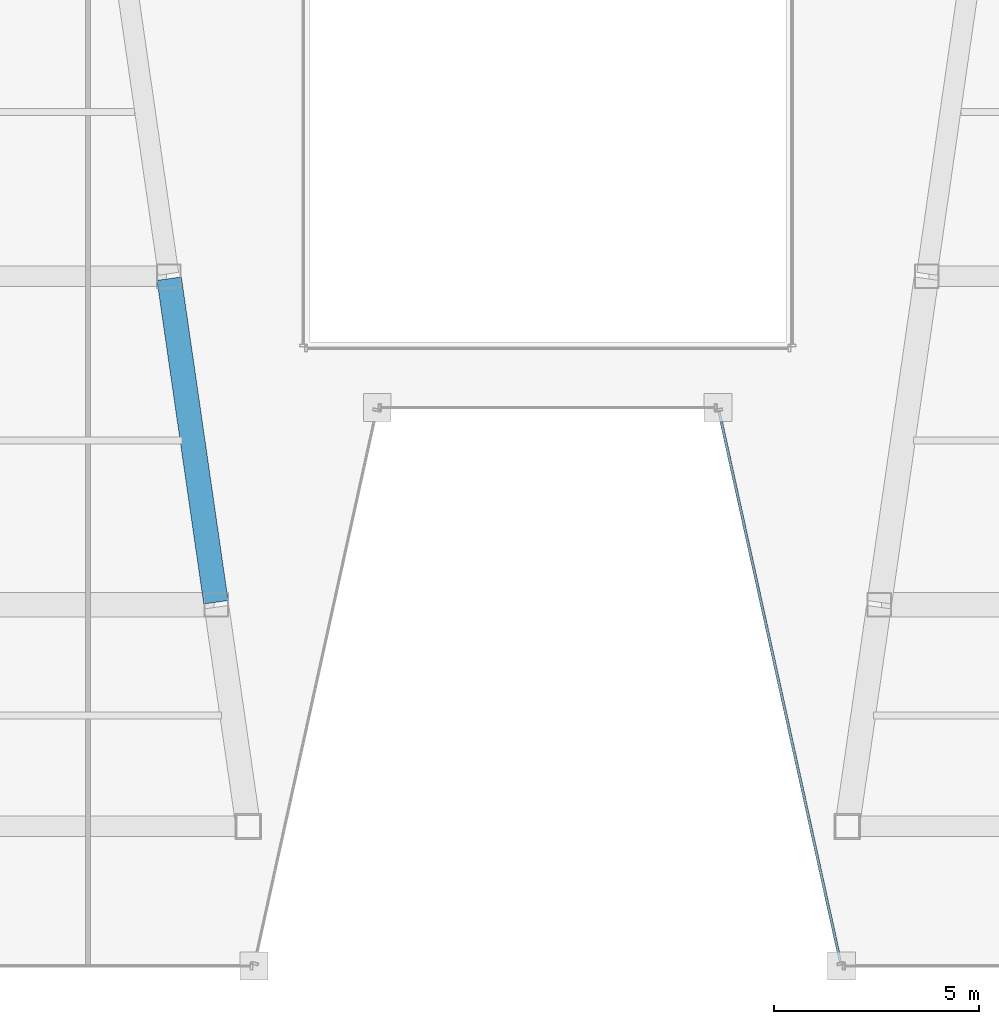
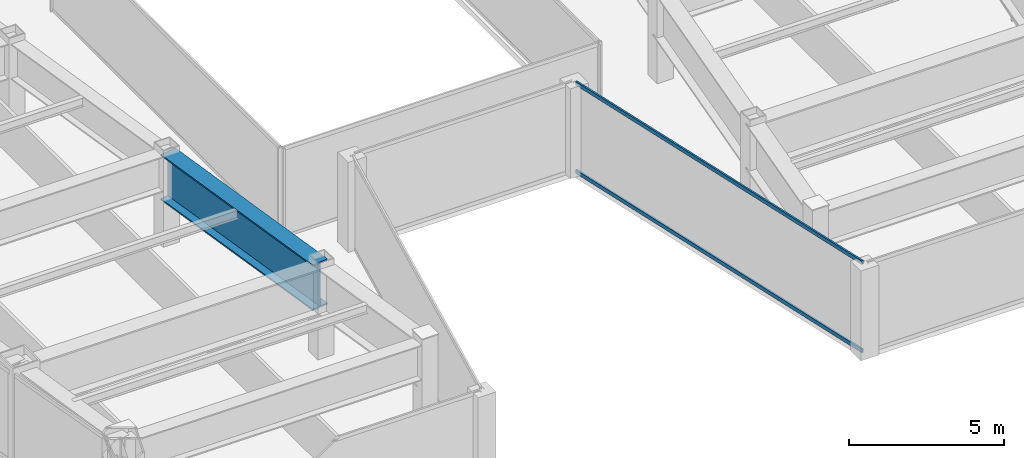
# One storey, part 6 of 37: 2 members, 1 beam, 1 element without a shape of its own.
"""IFC4 building model written with IfcOpenShell, lengths in metres."""

from ifc_helpers import new_model, si_unit, direction, frame, origin, origin_2d, place, context, subcontext, project, spatial, hollow_rectangle, i_section, extrude, material, material_profile, profile_set, type_object, element, aggregate, save


model = new_model("IFC4")

# Units and contexts
model_context = context("Model", 3, precision=1e-05, world=origin(), true_north=direction((0.0, 1.0)))
body_context = subcontext(model_context, "Body", "Model", "MODEL_VIEW")
ifc_project = project(units=[si_unit("LENGTHUNIT", "METRE"), si_unit("AREAUNIT", "SQUARE_METRE"), si_unit("VOLUMEUNIT", "CUBIC_METRE"), si_unit("PLANEANGLEUNIT", "RADIAN"), si_unit("MASSUNIT", "GRAM", prefix="KILO")], contexts=[model_context])

# Site, building, storey
site_placement = place(None, origin())
site = spatial("IfcSite", under=ifc_project, at=site_placement, CompositionType="ELEMENT")
building_placement = place(site_placement, origin())
building = spatial("IfcBuilding", under=site, at=building_placement, Name="Saevonmaru Cultural Tower", CompositionType="ELEMENT")
storey_placement = place(building_placement, frame((0.0, 0.0, 163.800048828125)))
storey = spatial("IfcBuildingStorey", under=building, at=storey_placement, Name="L36", CompositionType="ELEMENT", Elevation=163.800048828125)

# Beam
ifc_material_1 = material(Name="Steel HSA600 (600 MPa)", Category="steel")
ifc_material_profile_1 = material_profile(ifc_material_1, i_section(OverallWidth=0.60009765625, OverallDepth=1.800048828125, WebThickness=0.028076171875, FlangeThickness=0.054931640625, at=origin_2d()), Name="PG-1800x600x28x55")
ifc_profile_set_1 = profile_set([ifc_material_profile_1], Name="Steel HSA600 (600 MPa)")
beam_type = type_object("IfcBeamType", Name="BM-TG-PG1800", PredefinedType="BEAM", material=ifc_profile_set_1)
beam_placement = place(storey_placement, frame((21.91943359375, 16.059326171875, 2.64990234375), z_axis=(-0.143022161059, 0.989719486241, 0.0), x_axis=(-0.989719486241, -0.143022161059, 0.0)))
element("IfcBeam", 1, at=beam_placement, inside=storey, type_object=beam_type, Name="L36 West Atrium Girder 2", PredefinedType="BEAM", context=body_context, shape_type="SweptSolid", body=[
    extrude(i_section(OverallWidth=0.60009765625, OverallDepth=1.800048828125, WebThickness=0.028076171875, FlangeThickness=0.054931640625, at=origin_2d()), origin(), (0.0, 0.0, 1.0), 7.963134765625),
])

# Curtain wall, members
ifc_material_2 = material(Name="Satin Bronze Anodised Aluminium", Category="aluminium")
curtain_wall_type = type_object("IfcCurtainWallType", Name="CW-TYP-A", PredefinedType="NOTDEFINED", material=ifc_material_2)
curtain_wall_placement = place(storey_placement, origin())
curtain_wall = element("IfcCurtainWall", 2, at=curtain_wall_placement, inside=storey, type_object=curtain_wall_type, Name="L36 Unitised Curtain Wall E5", PredefinedType="NOTDEFINED")
ifc_material_profile_2 = material_profile(ifc_material_2, hollow_rectangle(XDim=0.06494140625, YDim=0.14990234375, WallThickness=0.00390625, at=origin_2d()), Name="ALU-TRAN-150x65x4")
ifc_profile_set_2 = profile_set([ifc_material_profile_2], Name="Satin Bronze Anodised Aluminium")
member_type = type_object("IfcMemberType", Name="TR-CW-150x65", PredefinedType="USERDEFINED", material=ifc_profile_set_2)
member_1_placement = place(storey_placement, frame((34.1708984375, 20.709716796875, 0.032470703125), z_axis=(0.21541214732, -0.976523223885, 0.0), x_axis=(0.976523223885, 0.21541214732, 0.0)))
member_1 = element("IfcMember", 3, at=member_1_placement, type_object=member_type, Name="CW-TW-L36-E5 transom 1.1", ObjectType="TRANSOM", PredefinedType="USERDEFINED", context=body_context, shape_type="SweptSolid", body=[
    extrude(hollow_rectangle(XDim=0.06494140625, YDim=0.14990234375, WallThickness=0.00390625, at=origin_2d()), origin(), (0.0, 0.0, 1.0), 13.741943359375),
])
member_2_placement = place(storey_placement, frame((34.1708984375, 20.709716796875, 3.517333984375), z_axis=(0.21541214732, -0.976523223885, 0.0), x_axis=(0.976523223885, 0.21541214732, 0.0)))
member_2 = element("IfcMember", 4, at=member_2_placement, type_object=member_type, Name="CW-TW-L36-E5 transom 1.2", ObjectType="TRANSOM", PredefinedType="USERDEFINED", context=body_context, shape_type="SweptSolid", body=[
    extrude(hollow_rectangle(XDim=0.06494140625, YDim=0.14990234375, WallThickness=0.00390625, at=origin_2d()), origin(), (0.0, 0.0, 1.0), 13.741943359375),
])
aggregate(curtain_wall, [member_1, member_2])

save(model, "model.ifc")
